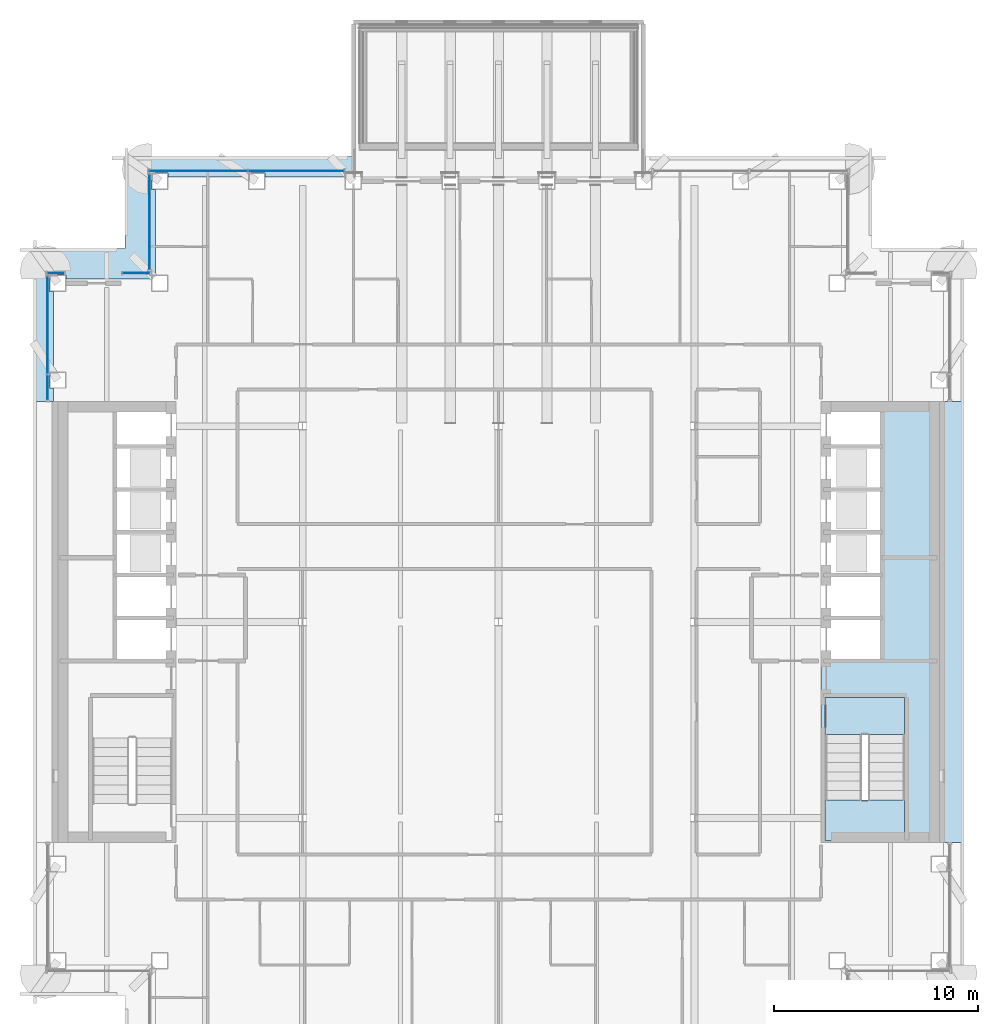
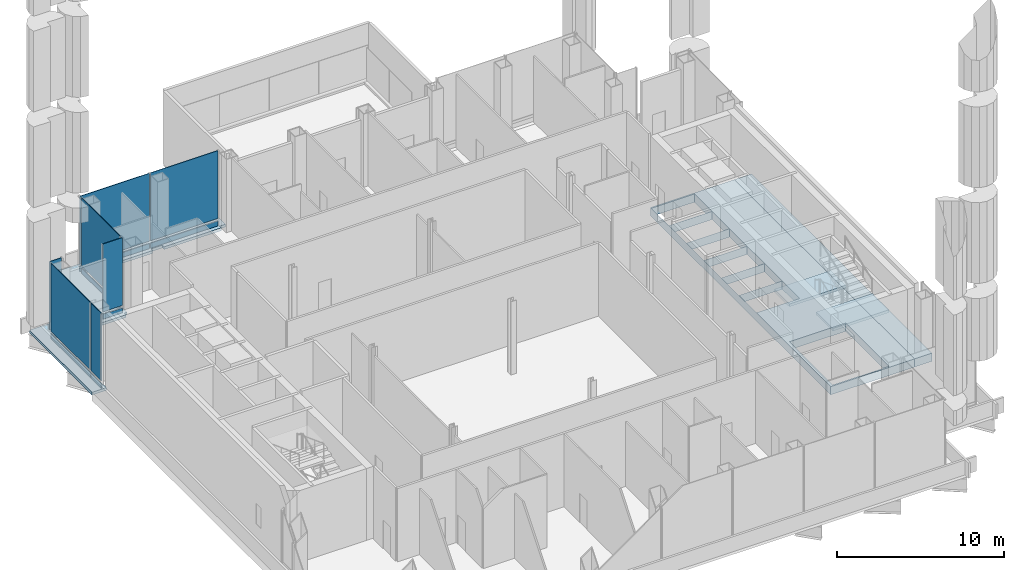
# One storey, part 8 of 22: 13 plates, 5 slabs, 6 elements without a shape of their own.
"""IFC4 building model written with IfcOpenShell, lengths in metres."""

from ifc_helpers import new_model, si_unit, direction, frame, origin, origin_2d, place, context, subcontext, project, spatial, polyline, rectangle, outline, extrude, material, layer, layer_set, type_object, element, aggregate, save


model = new_model("IFC4")

# Units and contexts
model_context = context("Model", 3, precision=1e-05, world=origin(), true_north=direction((0.0, 1.0)))
body_context = subcontext(model_context, "Body", "Model", "MODEL_VIEW")
ifc_project = project(units=[si_unit("LENGTHUNIT", "METRE"), si_unit("AREAUNIT", "SQUARE_METRE"), si_unit("VOLUMEUNIT", "CUBIC_METRE"), si_unit("PLANEANGLEUNIT", "RADIAN"), si_unit("MASSUNIT", "GRAM", prefix="KILO")], contexts=[model_context])

# Site, building, storey
site_placement = place(None, origin())
site = spatial("IfcSite", under=ifc_project, at=site_placement, CompositionType="ELEMENT")
building_placement = place(site_placement, origin())
building = spatial("IfcBuilding", under=site, at=building_placement, Name="Cobrizo Arcos Hotel Tower", CompositionType="ELEMENT")
storey_placement = place(building_placement, frame((0.0, 0.0, 142.5)))
storey = spatial("IfcBuildingStorey", under=building, at=storey_placement, Name="L36", CompositionType="ELEMENT", Elevation=142.5)

# Curtain wall, plates
ifc_material_1 = material(Name="Aluminium 6063-T6 anodised bronze", Category="aluminium")
curtain_wall_type = type_object("IfcCurtainWallType", Name="CW-E sky lobby glazing", PredefinedType="NOTDEFINED", material=ifc_material_1)
curtain_wall_1_placement = place(storey_placement, origin())
curtain_wall_1 = element("IfcCurtainWall", 1, at=curtain_wall_1_placement, inside=storey, type_object=curtain_wall_type, Name="CW-E L36 N face", PredefinedType="NOTDEFINED")
ifc_material_2 = material(Name="Glass clear laminated low-e", Category="glass")
ifc_layer_1 = layer(ifc_material_2, 0.050048828125)
ifc_layer_set_1 = layer_set([ifc_layer_1], Name="CW-E glass panel")
plate_type_1 = type_object("IfcPlateType", Name="CW-E glass panel", PredefinedType="CURTAIN_PANEL", material=ifc_layer_set_1)
plate_1_placement = place(storey_placement, frame((-9.919921875, 22.10009765625, 0.5400390625), z_axis=(0.0, 0.0, 1.0), x_axis=(-1.0, 0.0, 0.0)))
plate_1 = element("IfcPlate", 2, at=plate_1_placement, type_object=plate_type_1, Name="CW-E glass panel 1325", PredefinedType="CURTAIN_PANEL", context=body_context, shape_type="SweptSolid", body=[
    extrude(rectangle(XDim=4.651611328125, YDim=0.0400390625, at=origin_2d()), origin(), (0.0, 0.0, 1.0), 4.9599609375),
])
plate_2_placement = place(storey_placement, frame((-14.722900390625, 22.10009765625, 0.5400390625), z_axis=(0.0, 0.0, 1.0), x_axis=(-1.0, 0.0, 0.0)))
plate_2 = element("IfcPlate", 3, at=plate_2_placement, type_object=plate_type_1, Name="CW-E glass panel 1326", PredefinedType="CURTAIN_PANEL", context=body_context, shape_type="SweptSolid", body=[
    extrude(rectangle(XDim=4.794189453125, YDim=0.0400390625, at=origin_2d()), origin(), (0.0, 0.0, 1.0), 4.9599609375),
])

# Curtain wall, plate
curtain_wall_2_placement = place(storey_placement, origin())
curtain_wall_2 = element("IfcCurtainWall", 4, at=curtain_wall_2_placement, inside=storey, type_object=curtain_wall_type, Name="CW-E L36 W face", PredefinedType="NOTDEFINED")
plate_3_placement = place(storey_placement, frame((-17.10009765625, 19.60009765625, 0.5400390625), z_axis=(0.0, 0.0, 1.0), x_axis=(0.0, -1.0, 0.0)))
plate_3 = element("IfcPlate", 5, at=plate_3_placement, type_object=plate_type_1, Name="CW-E glass panel 1327", PredefinedType="CURTAIN_PANEL", context=body_context, shape_type="SweptSolid", body=[
    extrude(rectangle(XDim=4.639892578125, YDim=0.0400390625, at=origin_2d()), origin(), (0.0, 0.0, 1.0), 4.9599609375),
])

curtain_wall_3_placement = place(storey_placement, origin())
curtain_wall_3 = element("IfcCurtainWall", 6, at=curtain_wall_3_placement, inside=storey, type_object=curtain_wall_type, Name="CW-E L36 N face", PredefinedType="NOTDEFINED")
plate_4_placement = place(storey_placement, frame((-17.75, 17.10009765625, 0.5400390625), z_axis=(0.0, 0.0, 1.0), x_axis=(-1.0, 0.0, 0.0)))
plate_4 = element("IfcPlate", 7, at=plate_4_placement, type_object=plate_type_1, Name="CW-E glass panel 1328", PredefinedType="CURTAIN_PANEL", context=body_context, shape_type="SweptSolid", body=[
    extrude(rectangle(XDim=1.340087890625, YDim=0.0400390625, at=origin_2d()), origin(), (0.0, 0.0, 1.0), 4.9599609375),
])

curtain_wall_4_placement = place(storey_placement, origin())
curtain_wall_4 = element("IfcCurtainWall", 8, at=curtain_wall_4_placement, inside=storey, type_object=curtain_wall_type, Name="CW-E L36 N face", PredefinedType="NOTDEFINED")
plate_5_placement = place(storey_placement, frame((-21.699951171875, 17.10009765625, 0.5400390625), z_axis=(0.0, 0.0, 1.0), x_axis=(-1.0, 0.0, 0.0)))
plate_5 = element("IfcPlate", 9, at=plate_5_placement, type_object=plate_type_1, Name="CW-E glass panel 1329", PredefinedType="CURTAIN_PANEL", context=body_context, shape_type="SweptSolid", body=[
    extrude(rectangle(XDim=0.840087890625, YDim=0.0400390625, at=origin_2d()), origin(), (0.0, 0.0, 1.0), 4.9599609375),
])
aggregate(curtain_wall_4, [plate_5])

# Curtain wall, plates
curtain_wall_5_placement = place(storey_placement, origin())
curtain_wall_5 = element("IfcCurtainWall", 10, at=curtain_wall_5_placement, inside=storey, type_object=curtain_wall_type, Name="CW-E L36 W face", PredefinedType="NOTDEFINED")
plate_6_placement = place(storey_placement, frame((-22.10009765625, 14.551513671875, 0.5400390625), z_axis=(0.0, 0.0, 1.0), x_axis=(0.0, -1.0, 0.0)))
plate_6 = element("IfcPlate", 11, at=plate_6_placement, type_object=plate_type_1, Name="CW-E glass panel 1330", PredefinedType="CURTAIN_PANEL", context=body_context, shape_type="SweptSolid", body=[
    extrude(rectangle(XDim=4.737060546875, YDim=0.0400390625, at=origin_2d()), origin(), (0.0, 0.0, 1.0), 4.9599609375),
])
plate_7_placement = place(storey_placement, frame((-22.10009765625, 11.491455078125, 0.5400390625), z_axis=(0.0, 0.0, 1.0), x_axis=(0.0, -1.0, 0.0)))
plate_7 = element("IfcPlate", 12, at=plate_7_placement, type_object=plate_type_1, Name="CW-E glass panel 1331", PredefinedType="CURTAIN_PANEL", context=body_context, shape_type="SweptSolid", body=[
    extrude(rectangle(XDim=1.222900390625, YDim=0.0400390625, at=origin_2d()), origin(), (0.0, 0.0, 1.0), 4.9599609375),
])

# Plate
ifc_material_3 = material(Name="Aluminium composite panel pale metal", Category="aluminium")
ifc_layer_2 = layer(ifc_material_3, 0.0400390625)
ifc_layer_set_2 = layer_set([ifc_layer_2], Name="CW-E spandrel panel")
plate_type_2 = type_object("IfcPlateType", Name="CW-E spandrel panel", PredefinedType="CURTAIN_PANEL", material=ifc_layer_set_2)
plate_8_placement = place(storey_placement, frame((-9.919921875, 22.10009765625, 0.0), z_axis=(0.0, 0.0, 1.0), x_axis=(-1.0, 0.0, 0.0)))
plate_8 = element("IfcPlate", 13, at=plate_8_placement, type_object=plate_type_2, Name="CW-E spandrel panel 1325", PredefinedType="CURTAIN_PANEL", context=body_context, shape_type="SweptSolid", body=[
    extrude(rectangle(XDim=4.651611328125, YDim=0.0400390625, at=origin_2d()), origin(), (0.0, 0.0, 1.0), 0.360107421875),
])

plate_9_placement = place(storey_placement, frame((-14.722900390625, 22.10009765625, 0.0), z_axis=(0.0, 0.0, 1.0), x_axis=(-1.0, 0.0, 0.0)))
plate_9 = element("IfcPlate", 14, at=plate_9_placement, type_object=plate_type_2, Name="CW-E spandrel panel 1326", PredefinedType="CURTAIN_PANEL", context=body_context, shape_type="SweptSolid", body=[
    extrude(rectangle(XDim=4.794189453125, YDim=0.0400390625, at=origin_2d()), origin(), (0.0, 0.0, 1.0), 0.360107421875),
])

aggregate(curtain_wall_1, [plate_8, plate_1, plate_9, plate_2])

plate_10_placement = place(storey_placement, frame((-17.10009765625, 19.60009765625, 0.0), z_axis=(0.0, 0.0, 1.0), x_axis=(0.0, -1.0, 0.0)))
plate_10 = element("IfcPlate", 15, at=plate_10_placement, type_object=plate_type_2, Name="CW-E spandrel panel 1327", PredefinedType="CURTAIN_PANEL", context=body_context, shape_type="SweptSolid", body=[
    extrude(rectangle(XDim=4.639892578125, YDim=0.0400390625, at=origin_2d()), origin(), (0.0, 0.0, 1.0), 0.360107421875),
])

aggregate(curtain_wall_2, [plate_10, plate_3])

plate_11_placement = place(storey_placement, frame((-17.75, 17.10009765625, 0.0), z_axis=(0.0, 0.0, 1.0), x_axis=(-1.0, 0.0, 0.0)))
plate_11 = element("IfcPlate", 16, at=plate_11_placement, type_object=plate_type_2, Name="CW-E spandrel panel 1328", PredefinedType="CURTAIN_PANEL", context=body_context, shape_type="SweptSolid", body=[
    extrude(rectangle(XDim=1.340087890625, YDim=0.0400390625, at=origin_2d()), origin(), (0.0, 0.0, 1.0), 0.360107421875),
])

aggregate(curtain_wall_3, [plate_11, plate_4])

plate_12_placement = place(storey_placement, frame((-22.10009765625, 14.551513671875, 0.0), z_axis=(0.0, 0.0, 1.0), x_axis=(0.0, -1.0, 0.0)))
plate_12 = element("IfcPlate", 17, at=plate_12_placement, type_object=plate_type_2, Name="CW-E spandrel panel 1330", PredefinedType="CURTAIN_PANEL", context=body_context, shape_type="SweptSolid", body=[
    extrude(rectangle(XDim=4.737060546875, YDim=0.0400390625, at=origin_2d()), origin(), (0.0, 0.0, 1.0), 0.360107421875),
])

plate_13_placement = place(storey_placement, frame((-22.10009765625, 11.491455078125, 0.0), z_axis=(0.0, 0.0, 1.0), x_axis=(0.0, -1.0, 0.0)))
plate_13 = element("IfcPlate", 18, at=plate_13_placement, type_object=plate_type_2, Name="CW-E spandrel panel 1331", PredefinedType="CURTAIN_PANEL", context=body_context, shape_type="SweptSolid", body=[
    extrude(rectangle(XDim=1.222900390625, YDim=0.0400390625, at=origin_2d()), origin(), (0.0, 0.0, 1.0), 0.360107421875),
])

aggregate(curtain_wall_5, [plate_12, plate_6, plate_13, plate_7])

# Slabs
ifc_material_4 = material(Name="Concrete f'c 50 MPa", Category="concrete")
ifc_layer_3 = layer(ifc_material_4, 0.60009765625)
ifc_layer_set_3 = layer_set([ifc_layer_3], Name="RC core floor slab 600 f'c 50")
slab_type_1 = type_object("IfcSlabType", Name="RC core floor slab 600 f'c 50", PredefinedType="FLOOR", material=ifc_layer_set_3)
slab_1_placement = place(storey_placement, frame((0.0, 0.0, -0.60009765625)))
element("IfcSlab", 19, at=slab_1_placement, inside=storey, type_object=slab_type_1, Name="Core floor slab CS4, east core, L36", PredefinedType="FLOOR", context=body_context, shape_type="SweptSolid", body=[
    extrude(outline(polyline([(15.800048828125, 10.800048828125), (21.60009765625, 10.800048828125), (21.60009765625, -10.800048828125), (15.800048828125, -10.800048828125), (15.800048828125, 10.800048828125)]), holes=[polyline([(19.89794921875, -10.697998046875), (19.89794921875, -5.501953125), (16.001953125, -5.501953125), (16.001953125, -10.697998046875), (19.89794921875, -10.697998046875)]), polyline([(15.802001953125, 0.197998046875), (15.802001953125, -1.89794921875), (18.798095703125, -1.89794921875), (18.798095703125, 0.197998046875), (15.802001953125, 0.197998046875)]), polyline([(18.798095703125, 2.298095703125), (15.802001953125, 2.298095703125), (15.802001953125, 0.201904296875), (18.798095703125, 0.201904296875), (18.798095703125, 2.298095703125)]), polyline([(18.798095703125, 4.39794921875), (15.802001953125, 4.39794921875), (15.802001953125, 2.302001953125), (18.798095703125, 2.302001953125), (18.798095703125, 4.39794921875)]), polyline([(15.802001953125, 6.498046875), (15.802001953125, 4.402099609375), (18.798095703125, 4.402099609375), (18.798095703125, 6.498046875), (15.802001953125, 6.498046875)]), polyline([(18.798095703125, 8.597900390625), (15.802001953125, 8.597900390625), (15.802001953125, 6.501953125), (18.798095703125, 6.501953125), (18.798095703125, 8.597900390625)]), polyline([(18.798095703125, 10.697998046875), (15.802001953125, 10.697998046875), (15.802001953125, 8.60205078125), (18.798095703125, 8.60205078125), (18.798095703125, 10.697998046875)])]), origin(), (0.0, 0.0, 1.0), 0.60009765625),
])
ifc_layer_4 = layer(ifc_material_4, 0.60009765625)
ifc_layer_set_4 = layer_set([ifc_layer_4], Name="RC core roof slab 600 f'c 50")
slab_type_2 = type_object("IfcSlabType", Name="RC core roof slab 600 f'c 50", PredefinedType="ROOF", material=ifc_layer_set_4)
slab_2_placement = place(storey_placement, frame((0.0, 0.0, -0.60009765625)))
element("IfcSlab", 20, at=slab_2_placement, inside=storey, type_object=slab_type_2, Name="Core roof slab CR3, L36, no. 2", PredefinedType="ROOF", context=body_context, shape_type="SweptSolid", body=[
    extrude(outline(polyline([(22.800048828125, 10.800048828125), (22.800048828125, -10.800048828125), (21.60009765625, -10.800048828125), (21.60009765625, 10.800048828125), (22.800048828125, 10.800048828125)])), origin(), (0.0, 0.0, 1.0), 0.60009765625),
])
ifc_material_5 = material(Name="Concrete f'c 35 MPa", Category="concrete")
ifc_layer_5 = layer(ifc_material_5, 0.199951171875)
ifc_layer_set_5 = layer_set([ifc_layer_5], Name="RC roof slab 200 f'c 35")
slab_type_3 = type_object("IfcSlabType", Name="RC roof slab 200 f'c 35", PredefinedType="ROOF", material=ifc_layer_set_5)
slab_3_placement = place(storey_placement, frame((0.0, 0.0, -0.199951171875)))
element("IfcSlab", 21, at=slab_3_placement, inside=storey, type_object=slab_type_3, Name="Roof slab RS4, L36, no. 02", PredefinedType="ROOF", context=body_context, shape_type="SweptSolid", body=[
    extrude(outline(polyline([(-22.800048828125, 18.300048828125), (-18.300048828125, 18.300048828125), (-18.300048828125, 22.800048828125), (-7.114013671875, 22.800048828125), (-7.114013671875, 22.0), (-7.513916015625, 22.0), (-7.513916015625, 21.800048828125), (-11.45703125, 21.800048828125), (-11.45703125, 22.0), (-12.257080078125, 22.0), (-12.257080078125, 21.800048828125), (-16.199951171875, 21.800048828125), (-16.199951171875, 22.0), (-17.0, 22.0), (-17.0, 21.199951171875), (-16.800048828125, 21.199951171875), (-16.800048828125, 17.0), (-17.0, 17.0), (-17.0, 16.800048828125), (-21.199951171875, 16.800048828125), (-21.199951171875, 17.0), (-22.0, 17.0), (-22.0, 16.199951171875), (-21.800048828125, 16.199951171875), (-21.800048828125, 12.257080078125), (-22.0, 12.257080078125), (-22.0, 11.45703125), (-21.800048828125, 11.45703125), (-21.800048828125, 10.800048828125), (-22.800048828125, 10.800048828125), (-22.800048828125, 18.300048828125)])), origin(), (0.0, 0.0, 1.0), 0.199951171875),
])

# Stair, slabs
ifc_material_6 = material(Name="Concrete f'c 40 MPa", Category="concrete")
stair_type = type_object("IfcStairType", Name="Exit stair", PredefinedType="HALF_TURN_STAIR", material=ifc_material_6)
stair_placement = place(storey_placement, origin())
stair = element("IfcStair", 22, at=stair_placement, inside=storey, type_object=stair_type, Name="L36 Exit stair ST-E", PredefinedType="HALF_TURN_STAIR")
ifc_layer_6 = layer(ifc_material_6, 0.199951171875)
ifc_layer_set_6 = layer_set([ifc_layer_6], Name="Stair landing")
slab_type_4 = type_object("IfcSlabType", Name="Stair landing", PredefinedType="LANDING", material=ifc_layer_set_6)
slab_4_placement = place(storey_placement, frame((0.0, 0.0, 2.550048828125)))
slab_4 = element("IfcSlab", 23, at=slab_4_placement, type_object=slab_type_4, Name="ST-E landing 2", PredefinedType="LANDING", context=body_context, shape_type="SweptSolid", body=[
    extrude(outline(polyline([(16.0, -3.699951171875), (16.0, -5.5), (19.89990234375, -5.5), (19.89990234375, -3.699951171875), (16.0, -3.699951171875)])), origin(), (0.0, 0.0, 1.0), 0.199951171875),
])
slab_5_placement = place(storey_placement, frame((0.0, 0.0, 3.925048828125)))
slab_5 = element("IfcSlab", 24, at=slab_5_placement, type_object=slab_type_4, Name="ST-E landing 3", PredefinedType="LANDING", context=body_context, shape_type="SweptSolid", body=[
    extrude(outline(polyline([(16.0, -8.719970703125), (16.0, -10.699951171875), (19.89990234375, -10.699951171875), (19.89990234375, -8.719970703125), (16.0, -8.719970703125)])), origin(), (0.0, 0.0, 1.0), 0.199951171875),
])
aggregate(stair, [slab_4, slab_5])

save(model, "model.ifc")
